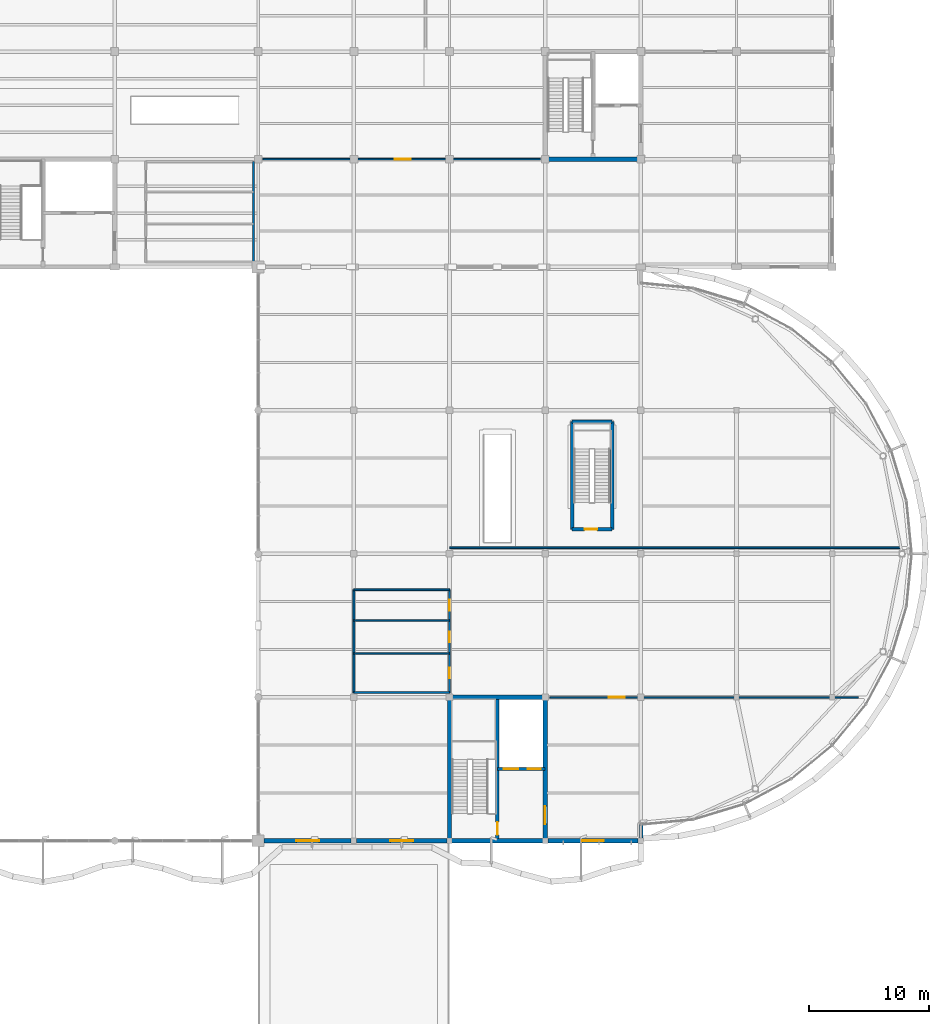
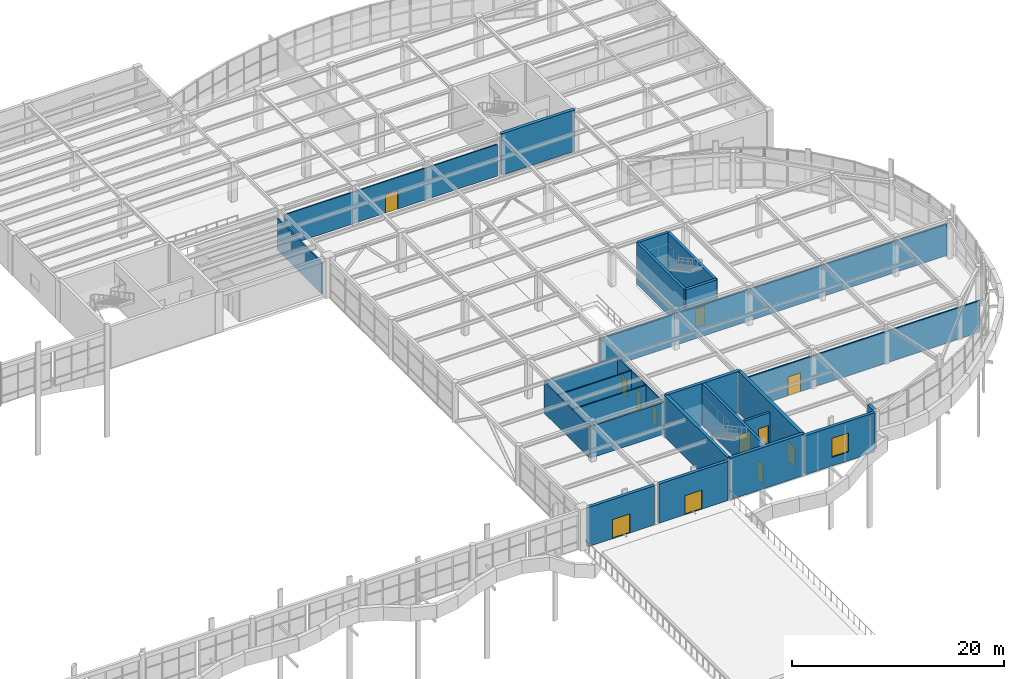
# One storey, part 47 of 63: 25 walls, 12 doors, 1 window, 13 openings.
"""IFC4 building model written with IfcOpenShell, lengths in metres."""

from ifc_helpers import new_model, si_unit, direction, frame, frame_2d, origin, place, context, subcontext, project, spatial, rectangle, extrude, material, layer, layer_set, type_object, element, fill, save


model = new_model("IFC4")

# Units and contexts
model_context = context("Model", 3, precision=1e-05, world=origin(), true_north=direction((0.0, 1.0)))
body_context = subcontext(model_context, "Body", "Model", "MODEL_VIEW")
ifc_project = project(units=[si_unit("LENGTHUNIT", "METRE"), si_unit("AREAUNIT", "SQUARE_METRE"), si_unit("VOLUMEUNIT", "CUBIC_METRE"), si_unit("PLANEANGLEUNIT", "RADIAN"), si_unit("MASSUNIT", "GRAM", prefix="KILO")], contexts=[model_context])

# Site, building, storey
site_placement = place(None, origin())
site = spatial("IfcSite", under=ifc_project, at=site_placement, CompositionType="ELEMENT")
building_placement = place(site_placement, origin())
building = spatial("IfcBuilding", under=site, at=building_placement, Name="Keelwater Ferry Terminal", CompositionType="ELEMENT")
storey_placement = place(building_placement, frame((0.0, 0.0, 10.199951171875)))
storey = spatial("IfcBuildingStorey", under=building, at=storey_placement, Name="L02", CompositionType="ELEMENT", Elevation=10.199951171875)

# Wall
ifc_material_1 = material(Name="Precast concrete C40/50", Category="concrete")
ifc_layer_1 = layer(ifc_material_1, 0.340087890625)
ifc_layer_set_1 = layer_set([ifc_layer_1], Name="Precast concrete C40/50")
wall_type_1 = type_object("IfcWallType", Name="EW-LM340 External Solid Wall 340", PredefinedType="SOLIDWALL", material=ifc_layer_set_1)
wall_1_placement = place(storey_placement, frame((164.0, 42.22509765625, 0.0), z_axis=(0.0, 0.0, 1.0), x_axis=(0.0, 1.0, 0.0)))
element("IfcWall", 1, at=wall_1_placement, inside=storey, type_object=wall_type_1, Name="External Wall WL-L02-0027", PredefinedType="SOLIDWALL", context=body_context, shape_type="SweptSolid", body=[
    extrude(rectangle(XDim=1.125, YDim=0.340087890625, at=frame_2d((0.5625, 0.0))), origin(), (0.0, 0.0, 1.0), 4.52001953125),
])

# Wall, opening, door
wall_2_placement = place(storey_placement, frame((139.77490234375, 42.0, 0.0), z_axis=(0.0, 0.0, 1.0), x_axis=(-1.0, 0.0, 0.0)))
wall_2 = element("IfcWall", 2, at=wall_2_placement, inside=storey, type_object=wall_type_1, Name="External Wall WL-L02-0071", PredefinedType="SOLIDWALL", context=body_context, shape_type="SweptSolid", body=[
    extrude(rectangle(XDim=7.27490234375, YDim=0.340087890625, at=frame_2d((3.637451171875, 0.0))), origin(), (0.0, 0.0, 1.0), 4.52001953125),
])
opening_1_placement = place(wall_2_placement, frame((2.68798828125, 0.0, 0.0)))
opening_1 = element("IfcOpeningElement", 3, at=opening_1_placement, cuts=wall_2, Name="Opening TD-05", PredefinedType="OPENING", context=body_context, shape_type="SweptSolid", body=[
    extrude(rectangle(XDim=1.89990234375, YDim=2.199951171875, at=frame_2d((0.949951171875, 1.10009765625))), frame((0.0, 0.179931640625, 0.0), z_axis=(0.0, -1.0, 0.0), x_axis=(1.0, 0.0, 0.0)), (0.0, 0.0, 1.0), 0.360107421875),
])
ifc_material_2 = material(Name="Anodised aluminium and laminated safety glass", Category="aluminium")
door_type_1 = type_object("IfcDoorType", Name="TD-T1 Pedestrian Door 1900x2200", OperationType="DOUBLE_DOOR_SINGLE_SWING", PredefinedType="DOOR", material=ifc_material_2)
door_1_placement = place(opening_1_placement, origin())
door_1 = element("IfcDoor", 4, at=door_1_placement, inside=storey, type_object=door_type_1, Name="Door TD-05", OperationType="DOUBLE_DOOR_SINGLE_SWING", OverallHeight=2.199951171875, OverallWidth=1.89990234375, PredefinedType="DOOR", context=body_context, shape_type="SweptSolid", body=[
    extrude(rectangle(XDim=1.89990234375, YDim=2.199951171875, at=frame_2d((0.949951171875, 1.10009765625))), frame((0.0, 0.02490234375, 0.0), z_axis=(0.0, -1.0, 0.0), x_axis=(1.0, 0.0, 0.0)), (0.0, 0.0, 1.0), 0.050048828125),
])
fill(opening_1, door_1)

wall_3_placement = place(storey_placement, frame((147.77490234375, 42.0, 0.0), z_axis=(0.0, 0.0, 1.0), x_axis=(-1.0, 0.0, 0.0)))
wall_3 = element("IfcWall", 5, at=wall_3_placement, inside=storey, type_object=wall_type_1, Name="External Wall WL-L02-0072", PredefinedType="SOLIDWALL", context=body_context, shape_type="SweptSolid", body=[
    extrude(rectangle(XDim=7.5498046875, YDim=0.340087890625, at=frame_2d((3.77490234375, 0.0))), origin(), (0.0, 0.0, 1.0), 4.52001953125),
])
opening_2_placement = place(wall_3_placement, frame((2.824951171875, 0.0, 0.0)))
opening_2 = element("IfcOpeningElement", 6, at=opening_2_placement, cuts=wall_3, Name="Opening TD-06", PredefinedType="OPENING", context=body_context, shape_type="SweptSolid", body=[
    extrude(rectangle(XDim=1.89990234375, YDim=2.199951171875, at=frame_2d((0.949951171875, 1.10009765625))), frame((0.0, 0.179931640625, 0.0), z_axis=(0.0, -1.0, 0.0), x_axis=(1.0, 0.0, 0.0)), (0.0, 0.0, 1.0), 0.360107421875),
])
door_2_placement = place(opening_2_placement, origin())
door_2 = element("IfcDoor", 7, at=door_2_placement, inside=storey, type_object=door_type_1, Name="Door TD-06", OperationType="DOUBLE_DOOR_SINGLE_SWING", OverallHeight=2.199951171875, OverallWidth=1.89990234375, PredefinedType="DOOR", context=body_context, shape_type="SweptSolid", body=[
    extrude(rectangle(XDim=1.89990234375, YDim=2.199951171875, at=frame_2d((0.949951171875, 1.10009765625))), frame((0.0, 0.02490234375, 0.0), z_axis=(0.0, -1.0, 0.0), x_axis=(1.0, 0.0, 0.0)), (0.0, 0.0, 1.0), 0.050048828125),
])
fill(opening_2, door_2)

# Wall, opening, window
wall_4_placement = place(storey_placement, frame((163.77490234375, 42.0, 0.0), z_axis=(0.0, 0.0, 1.0), x_axis=(-1.0, 0.0, 0.0)))
wall_4 = element("IfcWall", 8, at=wall_4_placement, inside=storey, type_object=wall_type_1, Name="External Wall WL-L02-0073", PredefinedType="SOLIDWALL", context=body_context, shape_type="SweptSolid", body=[
    extrude(rectangle(XDim=7.5498046875, YDim=0.340087890625, at=frame_2d((3.77490234375, 0.0))), origin(), (0.0, 0.0, 1.0), 4.52001953125),
])
opening_3_placement = place(wall_4_placement, frame((2.875, 0.0, 1.0)))
opening_3 = element("IfcOpeningElement", 9, at=opening_3_placement, cuts=wall_4, Name="Opening WN-03", PredefinedType="OPENING", context=body_context, shape_type="SweptSolid", body=[
    extrude(rectangle(XDim=1.800048828125, YDim=2.199951171875, at=frame_2d((0.89990234375, 1.10009765625))), frame((0.0, 0.179931640625, 0.0), z_axis=(0.0, -1.0, 0.0), x_axis=(1.0, 0.0, 0.0)), (0.0, 0.0, 1.0), 0.360107421875),
])
ifc_material_3 = material(Name="Triple low-E glass in thermally broken aluminium frame", Category="aluminium")
window_type = type_object("IfcWindowType", Name="WN-03 Exterior Window 1800x2200", PartitioningType="SINGLE_PANEL", PredefinedType="WINDOW", material=ifc_material_3)
window_placement = place(opening_3_placement, origin())
window = element("IfcWindow", 10, at=window_placement, inside=storey, type_object=window_type, Name="Window WN-L02-0035", OverallHeight=2.199951171875, OverallWidth=1.800048828125, PartitioningType="SINGLE_PANEL", PredefinedType="WINDOW", context=body_context, shape_type="SweptSolid", body=[
    extrude(rectangle(XDim=1.800048828125, YDim=2.199951171875, at=frame_2d((0.89990234375, 1.10009765625))), frame((0.0, 0.030029296875, 0.0), z_axis=(0.0, -1.0, 0.0), x_axis=(1.0, 0.0, 0.0)), (0.0, 0.0, 1.0), 0.06005859375),
])
fill(opening_3, window)

# Wall, openings, doors
ifc_material_4 = material(Name="Concrete C40/50", Category="concrete")
ifc_layer_2 = layer(ifc_material_4, 0.25)
ifc_layer_set_2 = layer_set([ifc_layer_2], Name="Concrete C40/50")
wall_type_2 = type_object("IfcWallType", Name="IW-250 Solid Wall 250", PredefinedType="SOLIDWALL", material=ifc_layer_set_2)
wall_5_placement = place(storey_placement, frame((156.0, 48.0, 0.0), z_axis=(0.0, 0.0, 1.0), x_axis=(-1.0, 0.0, 0.0)))
wall_5 = element("IfcWall", 11, at=wall_5_placement, inside=storey, type_object=wall_type_2, Name="Interior Wall WL-INT-L02-0108", PredefinedType="SOLIDWALL", context=body_context, shape_type="SweptSolid", body=[
    extrude(rectangle(XDim=4.0, YDim=0.25, at=frame_2d((2.0, 0.0))), origin(), (0.0, 0.0, 1.0), 3.650146484375),
])
opening_4_placement = place(wall_5_placement, frame((0.35009765625, 0.0, 0.0)))
opening_4 = element("IfcOpeningElement", 12, at=opening_4_placement, cuts=wall_5, Name="Opening LD-035", PredefinedType="OPENING", context=body_context, shape_type="SweptSolid", body=[
    extrude(rectangle(XDim=1.10009765625, YDim=2.199951171875, at=frame_2d((0.550048828125, 1.10009765625))), frame((0.0, 0.135009765625, 0.0), z_axis=(0.0, -1.0, 0.0), x_axis=(1.0, 0.0, 0.0)), (0.0, 0.0, 1.0), 0.27001953125),
])
opening_5_placement = place(wall_5_placement, frame((2.25, 0.0, 0.0)))
opening_5 = element("IfcOpeningElement", 13, at=opening_5_placement, cuts=wall_5, Name="Opening LD-036", PredefinedType="OPENING", context=body_context, shape_type="SweptSolid", body=[
    extrude(rectangle(XDim=1.199951171875, YDim=2.199951171875, at=frame_2d((0.60009765625, 1.10009765625))), frame((0.0, 0.135009765625, 0.0), z_axis=(0.0, -1.0, 0.0), x_axis=(1.0, 0.0, 0.0)), (0.0, 0.0, 1.0), 0.27001953125),
])
ifc_material_5 = material(Name="Stainless steel sliding landing doors", Category="steel")
door_type_2 = type_object("IfcDoorType", Name="LD-T1 Lift Landing Door 1100x2200", OperationType="SLIDING_TO_LEFT", PredefinedType="USERDEFINED", material=ifc_material_5)
door_3_placement = place(opening_4_placement, origin())
door_3 = element("IfcDoor", 14, at=door_3_placement, inside=storey, type_object=door_type_2, Name="Door LD-035", ObjectType="LANDING DOOR", OperationType="SLIDING_TO_LEFT", OverallHeight=2.199951171875, OverallWidth=1.10009765625, PredefinedType="USERDEFINED", context=body_context, shape_type="SweptSolid", body=[
    extrude(rectangle(XDim=1.10009765625, YDim=2.199951171875, at=frame_2d((0.550048828125, 1.10009765625))), frame((0.0, 0.02490234375, 0.0), z_axis=(0.0, -1.0, 0.0), x_axis=(1.0, 0.0, 0.0)), (0.0, 0.0, 1.0), 0.050048828125),
])
fill(opening_4, door_3)
ifc_material_6 = material(Name="Stainless steel sliding landing doors", Category="steel")
door_type_3 = type_object("IfcDoorType", Name="LD-T2 Lift Landing Door 1200x2200", OperationType="DOUBLE_DOOR_SLIDING", PredefinedType="USERDEFINED", material=ifc_material_6)
door_4_placement = place(opening_5_placement, origin())
door_4 = element("IfcDoor", 15, at=door_4_placement, inside=storey, type_object=door_type_3, Name="Door LD-036", ObjectType="LANDING DOOR", OperationType="DOUBLE_DOOR_SLIDING", OverallHeight=2.199951171875, OverallWidth=1.199951171875, PredefinedType="USERDEFINED", context=body_context, shape_type="SweptSolid", body=[
    extrude(rectangle(XDim=1.199951171875, YDim=2.199951171875, at=frame_2d((0.60009765625, 1.10009765625))), frame((0.0, 0.02490234375, 0.0), z_axis=(0.0, -1.0, 0.0), x_axis=(1.0, 0.0, 0.0)), (0.0, 0.0, 1.0), 0.050048828125),
])
fill(opening_5, door_4)

# Walls
ifc_material_7 = material(Name="Gypsum board on acoustic steel stud", Category="steel")
ifc_layer_3 = layer(ifc_material_7, 0.125)
ifc_layer_set_3 = layer_set([ifc_layer_3], Name="Gypsum board on acoustic steel stud")
wall_type_3 = type_object("IfcWallType", Name="PT-125 Partition Wall 125", PredefinedType="PARTITIONING", material=ifc_layer_set_3)
for number, where, z_axis, x_axis, name in (
    (16, (140.0, 57.66796875, 0.0), (0.0, 0.0, 1.0), (1.0, 0.0, 0.0), "Interior Wall WL-INT-L02-0218"),
    (17, (140.0, 60.419921875, 0.0), (0.0, 0.0, 1.0), (1.0, 0.0, 0.0), "Interior Wall WL-INT-L02-0219"),
):
    element("IfcWall", number, at=place(storey_placement, frame(where, z_axis=z_axis, x_axis=x_axis)), inside=storey, type_object=wall_type_3, Name=name, PredefinedType="PARTITIONING", context=body_context, shape_type="SweptSolid", body=[
        extrude(rectangle(XDim=8.0, YDim=0.125, at=frame_2d((4.0, 0.0))), origin(), (0.0, 0.0, 1.0), 3.650146484375),
    ])

# Wall, opening, door
wall_6_placement = place(storey_placement, frame((156.39990234375, 54.0, 0.0), z_axis=(0.0, 0.0, 1.0), x_axis=(1.0, 0.0, 0.0)))
wall_6 = element("IfcWall", 18, at=wall_6_placement, inside=storey, type_object=wall_type_3, Name="Interior Wall WL-INT-L02-0257", PredefinedType="PARTITIONING", context=body_context, shape_type="SweptSolid", body=[
    extrude(rectangle(XDim=25.800048828125, YDim=0.125, at=frame_2d((12.89990234375, 0.0))), origin(), (0.0, 0.0, 1.0), 3.650146484375),
])
opening_6_placement = place(wall_6_placement, frame((4.89990234375, 0.0, 0.0)))
opening_6 = element("IfcOpeningElement", 19, at=opening_6_placement, cuts=wall_6, Name="Opening DR-038", PredefinedType="OPENING", context=body_context, shape_type="SweptSolid", body=[
    extrude(rectangle(XDim=1.35009765625, YDim=2.14990234375, at=frame_2d((0.675048828125, 1.074951171875))), frame((0.0, 0.072509765625, 0.0), z_axis=(0.0, -1.0, 0.0), x_axis=(1.0, 0.0, 0.0)), (0.0, 0.0, 1.0), 0.14501953125),
])
ifc_material_8 = material(Name="Acoustic oak and fire-rated steel frame door", Category="steel")
door_type_4 = type_object("IfcDoorType", Name="ID-04 Pedestrian Door 1350x2150", OperationType="DOUBLE_DOOR_SINGLE_SWING", PredefinedType="DOOR", material=ifc_material_8)
door_5_placement = place(opening_6_placement, origin())
door_5 = element("IfcDoor", 20, at=door_5_placement, inside=storey, type_object=door_type_4, Name="Door DR-038", OperationType="DOUBLE_DOOR_SINGLE_SWING", OverallHeight=2.14990234375, OverallWidth=1.35009765625, PredefinedType="DOOR", context=body_context, shape_type="SweptSolid", body=[
    extrude(rectangle(XDim=1.35009765625, YDim=2.14990234375, at=frame_2d((0.675048828125, 1.074951171875))), frame((0.0, 0.02490234375, 0.0), z_axis=(0.0, -1.0, 0.0), x_axis=(1.0, 0.0, 0.0)), (0.0, 0.0, 1.0), 0.050048828125),
])
fill(opening_6, door_5)

wall_7_placement = place(storey_placement, frame((132.39990234375, 99.0, 0.0), z_axis=(0.0, 0.0, 1.0), x_axis=(1.0, 0.0, 0.0)))
wall_7 = element("IfcWall", 21, at=wall_7_placement, inside=storey, type_object=wall_type_3, Name="Interior Wall WL-INT-L02-0260", PredefinedType="PARTITIONING", context=body_context, shape_type="SweptSolid", body=[
    extrude(rectangle(XDim=23.2001953125, YDim=0.125, at=frame_2d((11.60009765625, 0.0))), origin(), (0.0, 0.0, 1.0), 3.650146484375),
])
opening_7_placement = place(wall_7_placement, frame((11.0, 0.0, 0.0)))
opening_7 = element("IfcOpeningElement", 22, at=opening_7_placement, cuts=wall_7, Name="Opening DR-041", PredefinedType="OPENING", context=body_context, shape_type="SweptSolid", body=[
    extrude(rectangle(XDim=1.35009765625, YDim=2.14990234375, at=frame_2d((0.675048828125, 1.074951171875))), frame((0.0, 0.072509765625, 0.0), z_axis=(0.0, -1.0, 0.0), x_axis=(1.0, 0.0, 0.0)), (0.0, 0.0, 1.0), 0.14501953125),
])
door_6_placement = place(opening_7_placement, origin())
door_6 = element("IfcDoor", 23, at=door_6_placement, inside=storey, type_object=door_type_4, Name="Door DR-041", OperationType="DOUBLE_DOOR_SINGLE_SWING", OverallHeight=2.14990234375, OverallWidth=1.35009765625, PredefinedType="DOOR", context=body_context, shape_type="SweptSolid", body=[
    extrude(rectangle(XDim=1.35009765625, YDim=2.14990234375, at=frame_2d((0.675048828125, 1.074951171875))), frame((0.0, 0.02490234375, 0.0), z_axis=(0.0, -1.0, 0.0), x_axis=(1.0, 0.0, 0.0)), (0.0, 0.0, 1.0), 0.050048828125),
])
fill(opening_7, door_6)

# Walls
ifc_material_9 = material(Name="Gypsum board on acoustic steel stud", Category="steel")
ifc_layer_4 = layer(ifc_material_9, 0.14990234375)
ifc_layer_set_4 = layer_set([ifc_layer_4], Name="Gypsum board on acoustic steel stud")
wall_type_4 = type_object("IfcWallType", Name="PT-150 Partition Wall 150", PredefinedType="PARTITIONING", material=ifc_layer_set_4)
wall_8_placement = place(storey_placement, frame((131.60009765625, 90.39990234375, 0.0), z_axis=(0.0, 0.0, 1.0), x_axis=(0.0, 1.0, 0.0)))
element("IfcWall", 24, at=wall_8_placement, inside=storey, type_object=wall_type_4, Name="Interior Wall WL-INT-L02-0179", PredefinedType="PARTITIONING", context=body_context, shape_type="SweptSolid", body=[
    extrude(rectangle(XDim=8.400146484375, YDim=0.14990234375, at=frame_2d((4.2001953125, 0.0))), origin(), (0.0, 0.0, 1.0), 3.650146484375),
])
wall_9_placement = place(storey_placement, frame((140.0, 54.39990234375, 0.0), z_axis=(0.0, 0.0, 1.0), x_axis=(0.0, 1.0, 0.0)))
element("IfcWall", 25, at=wall_9_placement, inside=storey, type_object=wall_type_4, Name="Interior Wall WL-INT-L02-0214", PredefinedType="PARTITIONING", context=body_context, shape_type="SweptSolid", body=[
    extrude(rectangle(XDim=8.60009765625, YDim=0.14990234375, at=frame_2d((4.300048828125, 0.0))), origin(), (0.0, 0.0, 1.0), 3.650146484375),
])

# Wall, openings, doors
wall_10_placement = place(storey_placement, frame((148.0, 54.39990234375, 0.0), z_axis=(0.0, 0.0, 1.0), x_axis=(0.0, 1.0, 0.0)))
wall_10 = element("IfcWall", 26, at=wall_10_placement, inside=storey, type_object=wall_type_4, Name="Interior Wall WL-INT-L02-0215", PredefinedType="PARTITIONING", context=body_context, shape_type="SweptSolid", body=[
    extrude(rectangle(XDim=8.60009765625, YDim=0.14990234375, at=frame_2d((4.300048828125, 0.0))), origin(), (0.0, 0.0, 1.0), 3.650146484375),
])
opening_8_placement = place(wall_10_placement, frame((1.18408203125, 0.0, 0.0)))
opening_8 = element("IfcOpeningElement", 27, at=opening_8_placement, cuts=wall_10, Name="Opening WD-034", PredefinedType="OPENING", context=body_context, shape_type="SweptSolid", body=[
    extrude(rectangle(XDim=0.89990234375, YDim=2.10009765625, at=frame_2d((0.449951171875, 1.050048828125))), frame((0.0, 0.0849609375, 0.0), z_axis=(0.0, -1.0, 0.0), x_axis=(1.0, 0.0, 0.0)), (0.0, 0.0, 1.0), 0.169921875),
])
opening_9_placement = place(wall_10_placement, frame((4.194091796875, 0.0, 0.0)))
opening_9 = element("IfcOpeningElement", 28, at=opening_9_placement, cuts=wall_10, Name="Opening WD-035", PredefinedType="OPENING", context=body_context, shape_type="SweptSolid", body=[
    extrude(rectangle(XDim=0.89990234375, YDim=2.10009765625, at=frame_2d((0.449951171875, 1.050048828125))), frame((0.0, 0.0849609375, 0.0), z_axis=(0.0, -1.0, 0.0), x_axis=(1.0, 0.0, 0.0)), (0.0, 0.0, 1.0), 0.169921875),
])
opening_10_placement = place(wall_10_placement, frame((6.85009765625, 0.0, 0.0)))
opening_10 = element("IfcOpeningElement", 29, at=opening_10_placement, cuts=wall_10, Name="Opening WD-036", PredefinedType="OPENING", context=body_context, shape_type="SweptSolid", body=[
    extrude(rectangle(XDim=0.919921875, YDim=2.10009765625, at=frame_2d((0.4599609375, 1.050048828125))), frame((0.0, 0.0849609375, 0.0), z_axis=(0.0, -1.0, 0.0), x_axis=(1.0, 0.0, 0.0)), (0.0, 0.0, 1.0), 0.169921875),
])
ifc_material_10 = material(Name="Acoustic oak and fire-rated steel frame door", Category="steel")
door_type_5 = type_object("IfcDoorType", Name="ID-09 Pedestrian Door 920x2100", OperationType="NOTDEFINED", PredefinedType="DOOR", material=ifc_material_10)
door_7_placement = place(opening_10_placement, origin())
door_7 = element("IfcDoor", 30, at=door_7_placement, inside=storey, type_object=door_type_5, Name="Door WD-036", OperationType="SINGLE_SWING_RIGHT", OverallHeight=2.10009765625, OverallWidth=0.919921875, PredefinedType="DOOR", context=body_context, shape_type="SweptSolid", body=[
    extrude(rectangle(XDim=0.919921875, YDim=2.10009765625, at=frame_2d((0.4599609375, 1.050048828125))), frame((0.0, 0.02490234375, 0.0), z_axis=(0.0, -1.0, 0.0), x_axis=(1.0, 0.0, 0.0)), (0.0, 0.0, 1.0), 0.050048828125),
])
fill(opening_10, door_7)
ifc_material_11 = material(Name="Acoustic oak and fire-rated steel frame door", Category="steel")
door_type_6 = type_object("IfcDoorType", Name="ID-10 Pedestrian Door 900x2100", OperationType="NOTDEFINED", PredefinedType="DOOR", material=ifc_material_11)
door_8_placement = place(opening_8_placement, origin())
door_8 = element("IfcDoor", 31, at=door_8_placement, inside=storey, type_object=door_type_6, Name="Door WD-034", OperationType="SINGLE_SWING_RIGHT", OverallHeight=2.10009765625, OverallWidth=0.89990234375, PredefinedType="DOOR", context=body_context, shape_type="SweptSolid", body=[
    extrude(rectangle(XDim=0.89990234375, YDim=2.10009765625, at=frame_2d((0.449951171875, 1.050048828125))), frame((0.0, 0.02490234375, 0.0), z_axis=(0.0, -1.0, 0.0), x_axis=(1.0, 0.0, 0.0)), (0.0, 0.0, 1.0), 0.050048828125),
])
fill(opening_8, door_8)
door_9_placement = place(opening_9_placement, origin())
door_9 = element("IfcDoor", 32, at=door_9_placement, inside=storey, type_object=door_type_6, Name="Door WD-035", OperationType="SINGLE_SWING_LEFT", OverallHeight=2.10009765625, OverallWidth=0.89990234375, PredefinedType="DOOR", context=body_context, shape_type="SweptSolid", body=[
    extrude(rectangle(XDim=0.89990234375, YDim=2.10009765625, at=frame_2d((0.449951171875, 1.050048828125))), frame((0.0, 0.02490234375, 0.0), z_axis=(0.0, -1.0, 0.0), x_axis=(1.0, 0.0, 0.0)), (0.0, 0.0, 1.0), 0.050048828125),
])
fill(opening_9, door_9)

# Walls
for number, where, z_axis, x_axis, name in (
    (33, (140.0, 63.0, 0.0), (0.0, 0.0, 1.0), (1.0, 0.0, 0.0), "Interior Wall WL-INT-L02-0216"),
    (34, (140.0, 54.39990234375, 0.0), (0.0, 0.0, 1.0), (1.0, 0.0, 0.0), "Interior Wall WL-INT-L02-0217"),
):
    element("IfcWall", number, at=place(storey_placement, frame(where, z_axis=z_axis, x_axis=x_axis)), inside=storey, type_object=wall_type_4, Name=name, PredefinedType="PARTITIONING", context=body_context, shape_type="SweptSolid", body=[
        extrude(rectangle(XDim=8.0, YDim=0.14990234375, at=frame_2d((4.0, 0.0))), origin(), (0.0, 0.0, 1.0), 3.650146484375),
    ])
wall_11_placement = place(storey_placement, frame((148.0, 66.5, 0.0), z_axis=(0.0, 0.0, 1.0), x_axis=(1.0, 0.0, 0.0)))
element("IfcWall", 35, at=wall_11_placement, inside=storey, type_object=wall_type_4, Name="Interior Wall WL-INT-L02-0256", PredefinedType="PARTITIONING", context=body_context, shape_type="SweptSolid", body=[
    extrude(rectangle(XDim=37.800048828125, YDim=0.14990234375, at=frame_2d((18.89990234375, 0.0))), origin(), (0.0, 0.0, 1.0), 3.650146484375),
])

# Wall, opening, door
ifc_material_12 = material(Name="Concrete C45/55", Category="concrete")
ifc_layer_5 = layer(ifc_material_12, 0.300048828125)
ifc_layer_set_5 = layer_set([ifc_layer_5], Name="Concrete C45/55")
wall_type_5 = type_object("IfcWallType", Name="SW-300 Shear Wall 300", PredefinedType="SHEAR", material=ifc_layer_set_5)
wall_12_placement = place(storey_placement, frame((152.0, 54.0, 0.0), z_axis=(0.0, 0.0, 1.0), x_axis=(0.0, -1.0, 0.0)))
wall_12 = element("IfcWall", 36, at=wall_12_placement, inside=storey, type_object=wall_type_5, Name="Interior Wall WL-INT-L02-0107", PredefinedType="SHEAR", context=body_context, shape_type="SweptSolid", body=[
    extrude(rectangle(XDim=12.0, YDim=0.300048828125, at=frame_2d((6.0, 0.0))), origin(), (0.0, 0.0, 1.0), 4.780029296875),
])
opening_11_placement = place(wall_12_placement, frame((10.449951171875, 0.0, 0.0)))
opening_11 = element("IfcOpeningElement", 37, at=opening_11_placement, cuts=wall_12, Name="Opening FD-035", PredefinedType="OPENING", context=body_context, shape_type="SweptSolid", body=[
    extrude(rectangle(XDim=1.050048828125, YDim=2.14990234375, at=frame_2d((0.52490234375, 1.074951171875))), frame((0.0, 0.159912109375, 0.0), z_axis=(0.0, -1.0, 0.0), x_axis=(1.0, 0.0, 0.0)), (0.0, 0.0, 1.0), 0.320068359375),
])
ifc_material_13 = material(Name="Acoustic oak and fire-rated steel frame door", Category="steel")
door_type_7 = type_object("IfcDoorType", Name="ID-06 Pedestrian Door 1050x2150", OperationType="NOTDEFINED", PredefinedType="DOOR", material=ifc_material_13)
door_10_placement = place(opening_11_placement, origin())
door_10 = element("IfcDoor", 38, at=door_10_placement, inside=storey, type_object=door_type_7, Name="Door FD-035", OperationType="SINGLE_SWING_LEFT", OverallHeight=2.14990234375, OverallWidth=1.050048828125, PredefinedType="DOOR", context=body_context, shape_type="SweptSolid", body=[
    extrude(rectangle(XDim=1.050048828125, YDim=2.14990234375, at=frame_2d((0.52490234375, 1.074951171875))), frame((0.0, 0.02490234375, 0.0), z_axis=(0.0, -1.0, 0.0), x_axis=(1.0, 0.0, 0.0)), (0.0, 0.0, 1.0), 0.050048828125),
])
fill(opening_11, door_10)

wall_13_placement = place(storey_placement, frame((158.25, 68.050048828125, 0.0), z_axis=(0.0, 0.0, 1.0), x_axis=(1.0, 0.0, 0.0)))
wall_13 = element("IfcWall", 39, at=wall_13_placement, inside=storey, type_object=wall_type_5, Name="Interior Wall WL-INT-L02-0143", PredefinedType="SHEAR", context=body_context, shape_type="SweptSolid", body=[
    extrude(rectangle(XDim=3.35009765625, YDim=0.300048828125, at=frame_2d((1.675048828125, 0.0))), origin(), (0.0, 0.0, 1.0), 4.780029296875),
])
opening_12_placement = place(wall_13_placement, frame((1.050048828125, 0.0, 0.0)))
opening_12 = element("IfcOpeningElement", 40, at=opening_12_placement, cuts=wall_13, Name="Opening FD-044", PredefinedType="OPENING", context=body_context, shape_type="SweptSolid", body=[
    extrude(rectangle(XDim=1.050048828125, YDim=2.14990234375, at=frame_2d((0.52490234375, 1.074951171875))), frame((0.0, 0.159912109375, 0.0), z_axis=(0.0, -1.0, 0.0), x_axis=(1.0, 0.0, 0.0)), (0.0, 0.0, 1.0), 0.320068359375),
])
door_11_placement = place(opening_12_placement, origin())
door_11 = element("IfcDoor", 41, at=door_11_placement, inside=storey, type_object=door_type_7, Name="Door FD-044", OperationType="SINGLE_SWING_LEFT", OverallHeight=2.14990234375, OverallWidth=1.050048828125, PredefinedType="DOOR", context=body_context, shape_type="SweptSolid", body=[
    extrude(rectangle(XDim=1.050048828125, YDim=2.14990234375, at=frame_2d((0.52490234375, 1.074951171875))), frame((0.0, 0.02490234375, 0.0), z_axis=(0.0, -1.0, 0.0), x_axis=(1.0, 0.0, 0.0)), (0.0, 0.0, 1.0), 0.050048828125),
])
fill(opening_12, door_11)

# Walls
wall_14_placement = place(storey_placement, frame((158.25, 77.050048828125, 0.0), z_axis=(0.0, 0.0, 1.0), x_axis=(1.0, 0.0, 0.0)))
element("IfcWall", 42, at=wall_14_placement, inside=storey, type_object=wall_type_5, Name="Interior Wall WL-INT-L02-0144", PredefinedType="SHEAR", context=body_context, shape_type="SweptSolid", body=[
    extrude(rectangle(XDim=3.35009765625, YDim=0.300048828125, at=frame_2d((1.675048828125, 0.0))), origin(), (0.0, 0.0, 1.0), 4.780029296875),
])
for number, where, z_axis, x_axis, name in (
    (43, (158.25, 68.050048828125, 0.0), (0.0, 0.0, 1.0), (0.0, 1.0, 0.0), "Interior Wall WL-INT-L02-0145"),
    (44, (161.60009765625, 68.050048828125, 0.0), (0.0, 0.0, 1.0), (0.0, 1.0, 0.0), "Interior Wall WL-INT-L02-0146"),
):
    element("IfcWall", number, at=place(storey_placement, frame(where, z_axis=z_axis, x_axis=x_axis)), inside=storey, type_object=wall_type_5, Name=name, PredefinedType="SHEAR", context=body_context, shape_type="SweptSolid", body=[
        extrude(rectangle(XDim=9.0, YDim=0.300048828125, at=frame_2d((4.5, 0.0))), origin(), (0.0, 0.0, 1.0), 4.780029296875),
    ])
ifc_material_14 = material(Name="Concrete C45/55", Category="concrete")
ifc_layer_6 = layer(ifc_material_14, 0.35009765625)
ifc_layer_set_6 = layer_set([ifc_layer_6], Name="Concrete C45/55")
wall_type_6 = type_object("IfcWallType", Name="SW-350 Shear Wall 350", PredefinedType="SHEAR", material=ifc_layer_set_6)
for number, where, z_axis, x_axis, name in (
    (45, (156.0, 99.0, 0.0), (0.0, 0.0, 1.0), (1.0, 0.0, 0.0), "Interior Wall WL-INT-L02-0067"),
    (46, (148.0, 42.0, 0.0), (0.0, 0.0, 1.0), (1.0, 0.0, 0.0), "Interior Wall WL-INT-L02-0103"),
    (47, (148.0, 54.0, 0.0), (0.0, 0.0, 1.0), (1.0, 0.0, 0.0), "Interior Wall WL-INT-L02-0104"),
):
    element("IfcWall", number, at=place(storey_placement, frame(where, z_axis=z_axis, x_axis=x_axis)), inside=storey, type_object=wall_type_6, Name=name, PredefinedType="SHEAR", context=body_context, shape_type="SweptSolid", body=[
        extrude(rectangle(XDim=8.0, YDim=0.35009765625, at=frame_2d((4.0, 0.0))), origin(), (0.0, 0.0, 1.0), 4.780029296875),
    ])
wall_15_placement = place(storey_placement, frame((148.0, 42.0, 0.0), z_axis=(0.0, 0.0, 1.0), x_axis=(0.0, 1.0, 0.0)))
element("IfcWall", 48, at=wall_15_placement, inside=storey, type_object=wall_type_6, Name="Interior Wall WL-INT-L02-0105", PredefinedType="SHEAR", context=body_context, shape_type="SweptSolid", body=[
    extrude(rectangle(XDim=12.0, YDim=0.35009765625, at=frame_2d((6.0, 0.0))), origin(), (0.0, 0.0, 1.0), 4.780029296875),
])

# Wall, opening, door
wall_16_placement = place(storey_placement, frame((156.0, 42.0, 0.0), z_axis=(0.0, 0.0, 1.0), x_axis=(0.0, 1.0, 0.0)))
wall_16 = element("IfcWall", 49, at=wall_16_placement, inside=storey, type_object=wall_type_6, Name="Interior Wall WL-INT-L02-0106", PredefinedType="SHEAR", context=body_context, shape_type="SweptSolid", body=[
    extrude(rectangle(XDim=12.0, YDim=0.35009765625, at=frame_2d((6.0, 0.0))), origin(), (0.0, 0.0, 1.0), 4.780029296875),
])
opening_13_placement = place(wall_16_placement, frame((1.39990234375, 0.0, 0.0)))
opening_13 = element("IfcOpeningElement", 50, at=opening_13_placement, cuts=wall_16, Name="Opening FD-036", PredefinedType="OPENING", context=body_context, shape_type="SweptSolid", body=[
    extrude(rectangle(XDim=1.5, YDim=2.199951171875, at=frame_2d((0.75, 1.10009765625))), frame((0.0, 0.18505859375, 0.0), z_axis=(0.0, -1.0, 0.0), x_axis=(1.0, 0.0, 0.0)), (0.0, 0.0, 1.0), 0.3701171875),
])
ifc_material_15 = material(Name="Acoustic oak and fire-rated steel frame door", Category="steel")
door_type_8 = type_object("IfcDoorType", Name="ID-02 Pedestrian Door 1500x2200", OperationType="DOUBLE_DOOR_SINGLE_SWING", PredefinedType="DOOR", material=ifc_material_15)
door_12_placement = place(opening_13_placement, origin())
door_12 = element("IfcDoor", 51, at=door_12_placement, inside=storey, type_object=door_type_8, Name="Door FD-036", OperationType="DOUBLE_DOOR_SINGLE_SWING", OverallHeight=2.199951171875, OverallWidth=1.5, PredefinedType="DOOR", context=body_context, shape_type="SweptSolid", body=[
    extrude(rectangle(XDim=1.5, YDim=2.199951171875, at=frame_2d((0.75, 1.10009765625))), frame((0.0, 0.02490234375, 0.0), z_axis=(0.0, -1.0, 0.0), x_axis=(1.0, 0.0, 0.0)), (0.0, 0.0, 1.0), 0.050048828125),
])
fill(opening_13, door_12)

save(model, "model.ifc")
